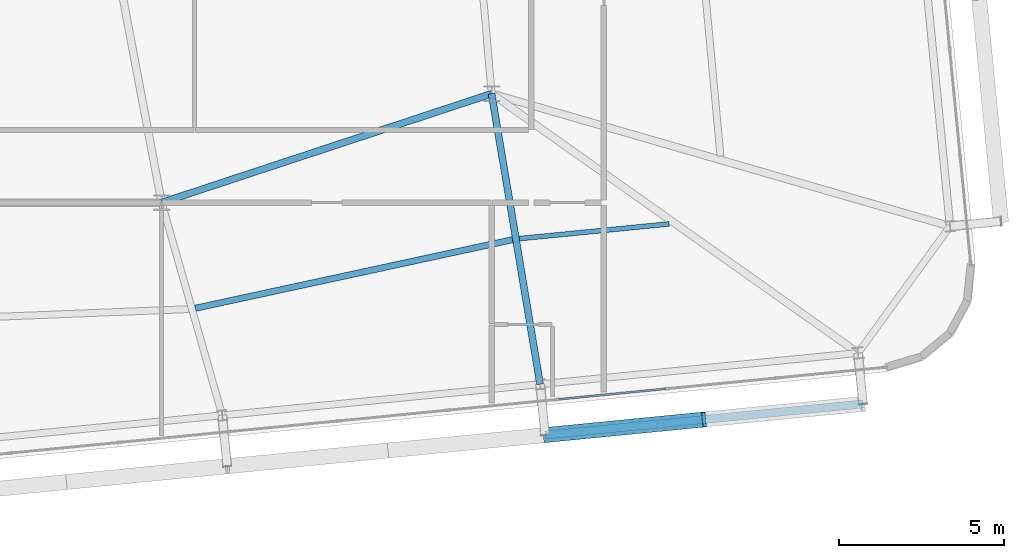
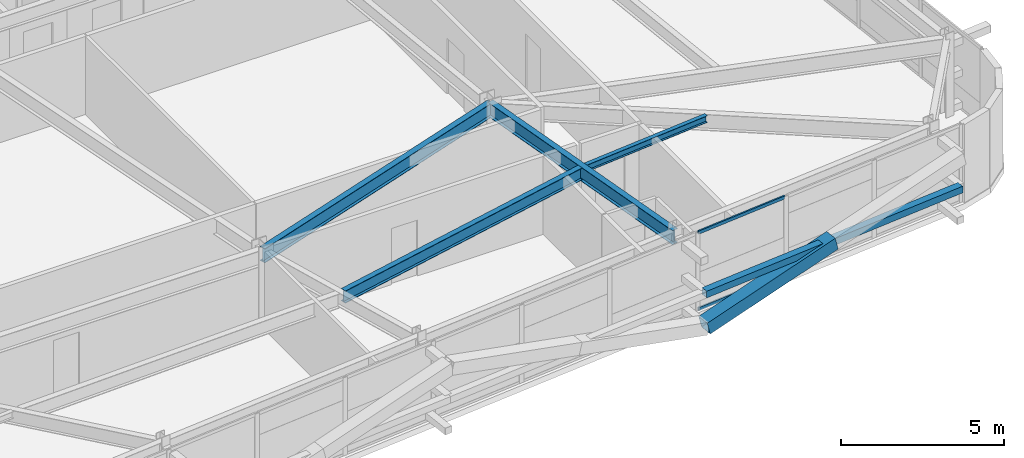
# One storey, part 19 of 53: 4 beams, 4 members, 1 element without a shape of its own.
"""IFC4 building model written with IfcOpenShell, lengths in metres."""

from ifc_helpers import new_model, si_unit, direction, frame, origin, origin_2d, place, context, subcontext, project, spatial, hollow_rectangle, i_section, extrude, source, transform, mapped, material, layer, layer_set, material_profile, profile_set, type_object, element, aggregate, save


model = new_model("IFC4")

# Units and contexts
model_context = context("Model", 3, precision=1e-05, world=origin(), true_north=direction((0.0, 1.0)))
body_context = subcontext(model_context, "Body", "Model", "MODEL_VIEW")
ifc_project = project(units=[si_unit("LENGTHUNIT", "METRE"), si_unit("AREAUNIT", "SQUARE_METRE"), si_unit("VOLUMEUNIT", "CUBIC_METRE"), si_unit("PLANEANGLEUNIT", "RADIAN"), si_unit("MASSUNIT", "GRAM", prefix="KILO")], contexts=[model_context])

# Site, building, storey
site_placement = place(None, origin())
site = spatial("IfcSite", under=ifc_project, at=site_placement, CompositionType="ELEMENT")
building_placement = place(site_placement, origin())
building = spatial("IfcBuilding", under=site, at=building_placement, Name="Taldren Reach Tower", CompositionType="ELEMENT")
storey_placement = place(building_placement, frame((0.0, 0.0, 80.85009765625)))
storey = spatial("IfcBuildingStorey", under=building, at=storey_placement, Name="L24", CompositionType="ELEMENT", Elevation=80.85009765625)

# Beams
ifc_material_1 = material(Name="Steel Gr 350 (350PLUS)", Category="steel")
ifc_material_profile_1 = material_profile(ifc_material_1, i_section(OverallWidth=0.208984375, OverallDepth=0.532958984375, WebThickness=0.01025390625, FlangeThickness=0.015625, at=origin_2d()), Name="530UB92.4")
ifc_profile_set_1 = profile_set([ifc_material_profile_1], Name="Steel Gr 350 (350PLUS)")
beam_type_1 = type_object("IfcBeamType", Name="BM-UB530A", PredefinedType="BEAM", material=ifc_profile_set_1)
shared_shape_1 = source(origin(), body_context, "Body", "SweptSolid", [
    extrude(i_section(OverallWidth=0.208984375, OverallDepth=0.532958984375, WebThickness=0.01025390625, FlangeThickness=0.015625, at=origin_2d()), origin(), (0.0, 0.0, 1.0), 10.530517578125),
])
beam_1_placement = place(storey_placement, frame((42.0, 9.199951171875, 2.663330078125), z_axis=(0.949627269203, 0.313381635689, 0.0), x_axis=(-0.313381635689, 0.949627269203, 0.0)))
element("IfcBeam", 1, at=beam_1_placement, inside=storey, type_object=beam_type_1, Name="Core-spine girder L24-SP12", PredefinedType="BEAM", context=body_context, shape_type="MappedRepresentation", body=[
    mapped(shared_shape_1, transform((0.0, 0.0, 0.0), scale=1.0)),
])
shared_shape_2 = source(origin(), body_context, "Body", "SweptSolid", [
    extrude(i_section(OverallWidth=0.208984375, OverallDepth=0.532958984375, WebThickness=0.01025390625, FlangeThickness=0.015625, at=origin_2d()), origin(), (0.0, 0.0, 1.0), 8.92333984375),
])
beam_2_placement = place(storey_placement, frame((52.0, 12.5, 2.663330078125), z_axis=(0.164678494096, -0.986347298664, 0.0), x_axis=(0.986347298664, 0.164678494096, 0.0)))
element("IfcBeam", 2, at=beam_2_placement, inside=storey, type_object=beam_type_1, Name="Primary floor girder B2-S5 L24", PredefinedType="BEAM", context=body_context, shape_type="MappedRepresentation", body=[
    mapped(shared_shape_2, transform((0.0, 0.0, 0.0), scale=1.0)),
])
ifc_material_profile_2 = material_profile(ifc_material_1, i_section(OverallWidth=0.19091796875, OverallDepth=0.4599609375, WebThickness=0.010009765625, FlangeThickness=0.01611328125, at=origin_2d()), Name="460UB82.1")
ifc_profile_set_2 = profile_set([ifc_material_profile_2], Name="Steel Gr 350 (350PLUS)")
beam_type_2 = type_object("IfcBeamType", Name="BM-UB460A", PredefinedType="BEAM", material=ifc_profile_set_2)
shared_shape_3 = source(origin(), body_context, "Body", "SweptSolid", [
    extrude(i_section(OverallWidth=0.19091796875, OverallDepth=0.4599609375, WebThickness=0.010009765625, FlangeThickness=0.01611328125, at=origin_2d()), origin(), (0.0, 0.0, 1.0), 9.83447265625),
])
beam_3_placement = place(storey_placement, frame((43.02001953125, 5.9990234375, 2.699951171875), z_axis=(0.977418600156, 0.211312280924, 0.0), x_axis=(-0.211312280924, 0.977418600156, 0.0)))
element("IfcBeam", 3, at=beam_3_placement, inside=storey, type_object=beam_type_2, Name="Secondary floor beam B2 J4 L24", PredefinedType="BEAM", context=body_context, shape_type="MappedRepresentation", body=[
    mapped(shared_shape_3, transform((0.0, 0.0, 0.0), scale=1.0)),
])
ifc_material_2 = material(Name="Steel Gr 300 (300PLUS, 300 MPa)", Category="steel")
ifc_material_profile_3 = material_profile(ifc_material_2, i_section(OverallWidth=0.14599609375, OverallDepth=0.256103515625, WebThickness=0.00634765625, FlangeThickness=0.010986328125, at=origin_2d()), Name="250UB37.3")
ifc_profile_set_3 = profile_set([ifc_material_profile_3], Name="Steel Gr 300 (300PLUS, 300 MPa)")
beam_type_3 = type_object("IfcBeamType", Name="JS-UB250", PredefinedType="JOIST", material=ifc_profile_set_3)
shared_shape_4 = source(origin(), body_context, "Body", "SweptSolid", [
    extrude(i_section(OverallWidth=0.14599609375, OverallDepth=0.256103515625, WebThickness=0.00634765625, FlangeThickness=0.010986328125, at=origin_2d()), origin(), (0.0, 0.0, 1.0), 4.56103515625),
])
beam_4_placement = place(storey_placement, frame((52.8388671875, 8.109375, 2.802001953125), z_axis=(0.995227709746, 0.097579740487, 0.0), x_axis=(-0.097579740487, 0.995227709746, 0.0)))
element("IfcBeam", 4, at=beam_4_placement, inside=storey, type_object=beam_type_3, Name="Secondary floor joist B2 J5 L24", PredefinedType="JOIST", context=body_context, shape_type="MappedRepresentation", body=[
    mapped(shared_shape_4, transform((0.0, 0.0, 0.0), scale=1.0)),
])

# Members
ifc_material_3 = material(Name="Steel Gr 450 (C450L0)", Category="steel")
ifc_material_profile_4 = material_profile(ifc_material_3, hollow_rectangle(XDim=0.4599609375, YDim=0.4599609375, WallThickness=0.01611328125, at=origin_2d()), Name="460x460x16.0SHS")
ifc_profile_set_4 = profile_set([ifc_material_profile_4], Name="Steel Gr 450 (C450L0)")
member_type_1 = type_object("IfcMemberType", Name="MB-EXO457", PredefinedType="BRACE", material=ifc_profile_set_4)
shared_shape_5 = source(origin(), body_context, "Body", "SweptSolid", [
    extrude(hollow_rectangle(XDim=0.4599609375, YDim=0.4599609375, WallThickness=0.01611328125, at=origin_2d()), origin(), (0.0, 0.0, 1.0), 4.990234375),
])
member_1_placement = place(storey_placement, frame((53.62060546875, 2.156005859375, 0.219970703125), z_axis=(0.965287024526, 0.094620633828, 0.24344998652), x_axis=(-0.097555749586, 0.995230061706, 0.0)))
element("IfcMember", 5, at=member_1_placement, inside=storey, type_object=member_type_1, Name="Exoskeleton Diagrid Brace B2-S5 L24", PredefinedType="BRACE", context=body_context, shape_type="MappedRepresentation", body=[
    mapped(shared_shape_5, transform((0.0, 0.0, 0.0), scale=1.0)),
])
ifc_material_4 = material(Name="Steel Gr 350 (C350L0)", Category="steel")
ifc_material_profile_5 = material_profile(ifc_material_4, hollow_rectangle(XDim=0.25, YDim=0.25, WallThickness=0.010009765625, at=origin_2d()), Name="250x250x10.0SHS")
ifc_profile_set_5 = profile_set([ifc_material_profile_5], Name="Steel Gr 350 (C350L0)")
member_type_2 = type_object("IfcMemberType", Name="MB-POST250", PredefinedType="POST", material=ifc_profile_set_5)
shared_shape_6 = source(origin(), body_context, "Body", "SweptSolid", [
    extrude(hollow_rectangle(XDim=0.25, YDim=0.25, WallThickness=0.010009765625, at=origin_2d()), origin(), (0.0, 0.0, 1.0), 9.679931640625),
])
member_2_placement = place(storey_placement, frame((53.62060546875, 2.156005859375, 1.434814453125), z_axis=(0.995227612658, 0.097580730699, 0.0), x_axis=(-0.097580730699, 0.995227612658, 0.0)))
element("IfcMember", 6, at=member_2_placement, inside=storey, type_object=member_type_2, Name="Exoskeleton mid-height ring chord B2-S5 L24", PredefinedType="POST", context=body_context, shape_type="MappedRepresentation", body=[
    mapped(shared_shape_6, transform((0.0, 0.0, 0.0), scale=1.0)),
])

# Curtain wall, members
ifc_material_5 = material(Name="Aluminium and Low-E Glass Unitised System", Category="aluminium")
ifc_layer = layer(ifc_material_5, 0.159912109375)
ifc_layer_set = layer_set([ifc_layer], Name="Aluminium and Low-E Glass Unitised System")
curtain_wall_type = type_object("IfcCurtainWallType", Name="CW-SYS-3", PredefinedType="NOTDEFINED", material=ifc_layer_set)
curtain_wall_placement = place(storey_placement, origin())
curtain_wall = element("IfcCurtainWall", 7, at=curtain_wall_placement, inside=storey, type_object=curtain_wall_type, Name="Unitised curtain wall CW-L24-S", PredefinedType="NOTDEFINED")
ifc_material_6 = material(Name="Anodised Aluminium 6063-T6", Category="aluminium")
ifc_material_profile_6 = material_profile(ifc_material_6, hollow_rectangle(XDim=0.054931640625, YDim=0.1201171875, WallThickness=0.0029296875, at=origin_2d()), Name="ALU-120x55x3RHS")
ifc_profile_set_6 = profile_set([ifc_material_profile_6], Name="Anodised Aluminium 6063-T6")
member_type_3 = type_object("IfcMemberType", Name="CW-TRN-135", PredefinedType="USERDEFINED", material=ifc_profile_set_6)
shared_shape_7 = source(origin(), body_context, "Body", "SweptSolid", [
    extrude(hollow_rectangle(XDim=0.054931640625, YDim=0.1201171875, WallThickness=0.0029296875, at=origin_2d()), origin(), (0.0, 0.0, 1.0), 3.268310546875),
])
member_3_placement = place(storey_placement, frame((54.029296875, 3.240966796875, 0.02734375), z_axis=(0.99522980512, 0.097558367146, 0.0), x_axis=(-0.097558367146, 0.99522980512, 0.0)))
member_3 = element("IfcMember", 8, at=member_3_placement, type_object=member_type_3, Name="CW-3 transom 13.1", ObjectType="TRANSOM", PredefinedType="USERDEFINED", context=body_context, shape_type="MappedRepresentation", body=[
    mapped(shared_shape_7, transform((0.0, 0.0, 0.0), scale=1.0)),
])
member_4_placement = place(storey_placement, frame((54.029296875, 3.240966796875, 2.90234375), z_axis=(0.99522980512, 0.097558367146, 0.0), x_axis=(-0.097558367146, 0.99522980512, 0.0)))
member_4 = element("IfcMember", 9, at=member_4_placement, type_object=member_type_3, Name="CW-3 transom 13.2", ObjectType="TRANSOM", PredefinedType="USERDEFINED", context=body_context, shape_type="MappedRepresentation", body=[
    mapped(shared_shape_7, transform((0.0, 0.0, 0.0), scale=1.0)),
])
aggregate(curtain_wall, [member_3, member_4])

save(model, "model.ifc")
